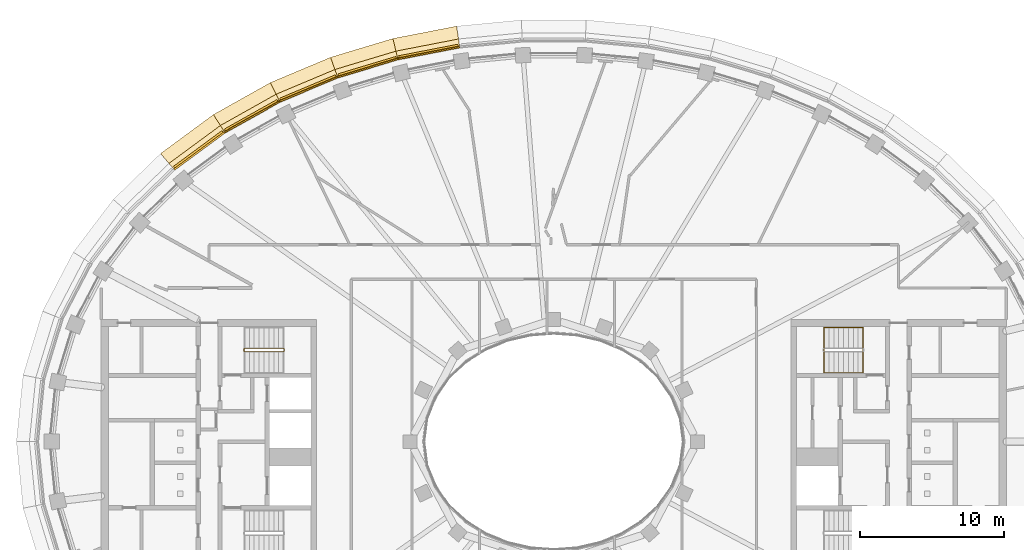
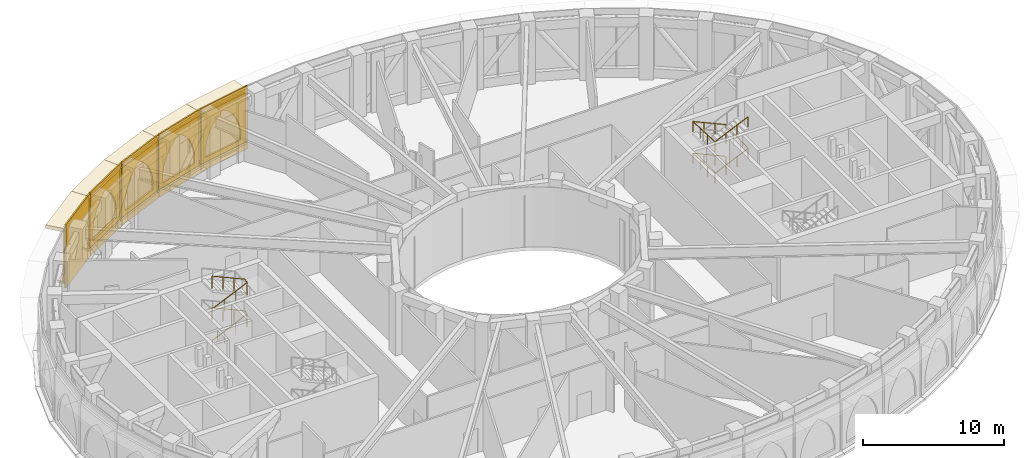
# One storey, part 21 of 23: 20 coverings, 2 railings.
"""IFC4 building model written with IfcOpenShell, lengths in metres."""

from ifc_helpers import new_model, si_unit, direction, frame, origin, origin_2d, place, context, subcontext, project, spatial, polyline, rectangle, outline, extrude, material, layer, layer_set, type_object, element, save


model = new_model("IFC4")

# Units and contexts
model_context = context("Model", 3, precision=1e-05, world=origin(), true_north=direction((0.0, 1.0)))
body_context = subcontext(model_context, "Body", "Model", "MODEL_VIEW")
ifc_project = project(units=[si_unit("LENGTHUNIT", "METRE"), si_unit("AREAUNIT", "SQUARE_METRE"), si_unit("VOLUMEUNIT", "CUBIC_METRE"), si_unit("PLANEANGLEUNIT", "RADIAN"), si_unit("MASSUNIT", "GRAM", prefix="KILO")], contexts=[model_context])

# Site, building, storey
site_placement = place(None, origin())
site = spatial("IfcSite", under=ifc_project, at=site_placement, CompositionType="ELEMENT")
building_placement = place(site_placement, origin())
building = spatial("IfcBuilding", under=site, at=building_placement, Name="Noorbagh Ring Tower", CompositionType="ELEMENT")
storey_placement = place(building_placement, frame((0.0, 0.0, 285.5)))
storey = spatial("IfcBuildingStorey", under=building, at=storey_placement, Name="L61", CompositionType="ELEMENT", Elevation=285.5)

# Railings
ifc_material_1 = material(Name="Stainless steel", Category="steel")
railing_type_1 = type_object("IfcRailingType", Name="CORE-STAIR-GUARD", PredefinedType="GUARDRAIL", material=ifc_material_1)
railing_1_placement = place(storey_placement, frame((-21.580078125, 6.300048828125, 0.0)))
element("IfcRailing", 1, at=railing_1_placement, inside=storey, type_object=railing_type_1, Name="L61 ST1 stair guard", PredefinedType="GUARDRAIL", context=body_context, shape_type="SweptSolid", body=[
    extrude(rectangle(XDim=0.048095703125, YDim=0.048095703125, at=origin_2d()), frame((0.0, 0.0, 1.076171875), z_axis=(0.0, 1.0, 0.0), x_axis=(-1.0, 0.0, 0.0)), (0.0, 0.0, 1.0), 0.14990234375),
    extrude(rectangle(XDim=0.048095703125, YDim=0.048095703125, at=origin_2d()), frame((0.0, 0.14990234375, 1.076171875), z_axis=(0.195046945594, -0.779236333862, 0.595606770449), x_axis=(0.970072785993, 0.242814311512, 0.0)), (0.0, 0.0, 1.0), 0.256591796875),
    extrude(rectangle(XDim=0.048095703125, YDim=0.048095703125, at=origin_2d()), frame((0.050048828125, -0.050048828125, 1.22900390625), z_axis=(0.912149621895, 0.0, 0.409857374312), x_axis=(0.0, 1.0, 0.0)), (0.0, 0.0, 1.0), 2.98193359375),
    extrude(rectangle(XDim=0.048095703125, YDim=0.048095703125, at=origin_2d()), frame((2.77001953125, -0.050048828125, 2.451171875), z_axis=(0.707106781187, 0.707106781187, 0.0), x_axis=(-0.707106781187, 0.707106781187, 0.0)), (0.0, 0.0, 1.0), 0.07080078125),
    extrude(rectangle(XDim=0.048095703125, YDim=0.048095703125, at=origin_2d()), frame((2.820068359375, 0.0, 2.451171875), z_axis=(0.0, 1.0, 0.0), x_axis=(-1.0, 0.0, 0.0)), (0.0, 0.0, 1.0), 0.14990234375),
    extrude(rectangle(XDim=0.048095703125, YDim=0.048095703125, at=origin_2d()), frame((2.820068359375, 0.14990234375, 2.451171875), z_axis=(-0.297155754911, 0.297155754911, 0.90741220768), x_axis=(-0.707106781187, -0.707106781187, 0.0)), (0.0, 0.0, 1.0), 0.16845703125),
    extrude(rectangle(XDim=0.048095703125, YDim=0.048095703125, at=origin_2d()), frame((2.77001953125, 0.199951171875, 2.60400390625), z_axis=(-0.912149621895, 0.0, 0.409857374312), x_axis=(0.0, -1.0, 0.0)), (0.0, 0.0, 1.0), 2.98193359375),
    extrude(rectangle(XDim=0.048095703125, YDim=0.048095703125, at=origin_2d()), frame((0.050048828125, 0.199951171875, 3.826171875), z_axis=(-0.242814311512, -0.970072785993, 0.0), x_axis=(0.970072785993, -0.242814311512, 0.0)), (0.0, 0.0, 1.0), 0.2060546875),
    extrude(rectangle(XDim=0.048095703125, YDim=0.048095703125, at=origin_2d()), frame((0.0, 0.0, 3.826171875), z_axis=(0.0, 1.0, 0.0), x_axis=(-1.0, 0.0, 0.0)), (0.0, 0.0, 1.0), 0.14990234375),
    extrude(rectangle(XDim=0.048095703125, YDim=0.048095703125, at=origin_2d()), frame((0.0, 0.14990234375, 3.826171875), z_axis=(0.195046945594, -0.779236333862, 0.595606770449), x_axis=(0.970072785993, 0.242814311512, 0.0)), (0.0, 0.0, 1.0), 0.256591796875),
    extrude(rectangle(XDim=0.048095703125, YDim=0.048095703125, at=origin_2d()), frame((0.050048828125, -0.050048828125, 3.97900390625), z_axis=(0.912149621895, 0.0, 0.409857374312), x_axis=(0.0, 1.0, 0.0)), (0.0, 0.0, 1.0), 2.98193359375),
    extrude(rectangle(XDim=0.048095703125, YDim=0.048095703125, at=origin_2d()), frame((2.77001953125, -0.050048828125, 5.201171875), z_axis=(0.707106781187, 0.707106781187, 0.0), x_axis=(-0.707106781187, 0.707106781187, 0.0)), (0.0, 0.0, 1.0), 0.07080078125),
    extrude(rectangle(XDim=0.048095703125, YDim=0.048095703125, at=origin_2d()), frame((2.820068359375, 0.0, 5.201171875), z_axis=(0.0, 1.0, 0.0), x_axis=(-1.0, 0.0, 0.0)), (0.0, 0.0, 1.0), 0.14990234375),
    extrude(rectangle(XDim=0.048095703125, YDim=0.048095703125, at=origin_2d()), frame((2.820068359375, 0.14990234375, 5.201171875), z_axis=(-0.297155754911, 0.297155754911, 0.90741220768), x_axis=(-0.707106781187, -0.707106781187, 0.0)), (0.0, 0.0, 1.0), 0.16845703125),
    extrude(rectangle(XDim=0.048095703125, YDim=0.048095703125, at=origin_2d()), frame((2.77001953125, 0.199951171875, 5.35400390625), z_axis=(-0.912149621895, 0.0, 0.409857374312), x_axis=(0.0, -1.0, 0.0)), (0.0, 0.0, 1.0), 2.98193359375),
    extrude(rectangle(XDim=0.0419921875, YDim=0.0419921875, at=origin_2d()), origin(), (0.0, 0.0, 1.0), 1.052001953125),
    extrude(rectangle(XDim=0.0419921875, YDim=0.0419921875, at=origin_2d()), frame((0.956787109375, -0.050048828125, 0.560302734375)), (0.0, 0.0, 1.0), 1.052001953125),
    extrude(rectangle(XDim=0.0419921875, YDim=0.0419921875, at=origin_2d()), frame((1.86328125, -0.050048828125, 0.967529296875)), (0.0, 0.0, 1.0), 1.052001953125),
    extrude(rectangle(XDim=0.0419921875, YDim=0.0419921875, at=origin_2d()), frame((2.77001953125, -0.050048828125, 1.375)), (0.0, 0.0, 1.0), 1.052001953125),
    extrude(rectangle(XDim=0.0419921875, YDim=0.0419921875, at=origin_2d()), frame((1.86328125, 0.199951171875, 1.935302734375)), (0.0, 0.0, 1.0), 1.052001953125),
    extrude(rectangle(XDim=0.0419921875, YDim=0.0419921875, at=origin_2d()), frame((0.956787109375, 0.199951171875, 2.342529296875)), (0.0, 0.0, 1.0), 1.052001953125),
    extrude(rectangle(XDim=0.0419921875, YDim=0.0419921875, at=origin_2d()), frame((0.050048828125, 0.199951171875, 2.75)), (0.0, 0.0, 1.0), 1.052001953125),
    extrude(rectangle(XDim=0.0419921875, YDim=0.0419921875, at=origin_2d()), frame((0.956787109375, -0.050048828125, 3.310302734375)), (0.0, 0.0, 1.0), 1.052001953125),
    extrude(rectangle(XDim=0.0419921875, YDim=0.0419921875, at=origin_2d()), frame((1.86328125, -0.050048828125, 3.717529296875)), (0.0, 0.0, 1.0), 1.052001953125),
    extrude(rectangle(XDim=0.0419921875, YDim=0.0419921875, at=origin_2d()), frame((2.77001953125, -0.050048828125, 4.125)), (0.0, 0.0, 1.0), 1.052001953125),
    extrude(rectangle(XDim=0.0419921875, YDim=0.0419921875, at=origin_2d()), frame((1.86328125, 0.199951171875, 4.685302734375)), (0.0, 0.0, 1.0), 1.052001953125),
    extrude(rectangle(XDim=0.0419921875, YDim=0.0419921875, at=origin_2d()), frame((0.956787109375, 0.199951171875, 5.092529296875)), (0.0, 0.0, 1.0), 1.052001953125),
    extrude(rectangle(XDim=0.0419921875, YDim=0.0419921875, at=origin_2d()), frame((0.050048828125, 0.199951171875, 5.5)), (0.0, 0.0, 1.0), 1.052001953125),
])
ifc_material_2 = material(Name="Stainless steel", Category="steel")
railing_type_2 = type_object("IfcRailingType", Name="CORE-STAIR-HANDRAIL", PredefinedType="HANDRAIL", material=ifc_material_2)
railing_2_placement = place(storey_placement, frame((21.530029296875, 7.949951171875, 0.15283203125)))
element("IfcRailing", 2, at=railing_2_placement, inside=storey, type_object=railing_type_2, Name="L61 ST3 stair handrail", PredefinedType="HANDRAIL", context=body_context, shape_type="SweptSolid", body=[
    extrude(rectangle(XDim=0.048095703125, YDim=0.048095703125, at=origin_2d()), frame((0.0, 0.0, 0.8759765625), z_axis=(-0.912149621895, 0.0, 0.409857374312), x_axis=(0.0, -1.0, 0.0)), (0.0, 0.0, 1.0), 2.98193359375),
    extrude(rectangle(XDim=0.048095703125, YDim=0.048095703125, at=origin_2d()), frame((-2.719970703125, 0.0, 2.09814453125), z_axis=(0.0, -0.998824997948, 0.048462598722), x_axis=(1.0, 0.0, 0.0)), (0.0, 0.0, 1.0), 3.153564453125),
    extrude(rectangle(XDim=0.048095703125, YDim=0.048095703125, at=origin_2d()), frame((-2.719970703125, -3.14990234375, 2.2509765625), z_axis=(0.912149621895, 0.0, 0.409857374312), x_axis=(0.0, 1.0, 0.0)), (0.0, 0.0, 1.0), 2.98193359375),
    extrude(rectangle(XDim=0.048095703125, YDim=0.048095703125, at=origin_2d()), frame((0.0, -3.14990234375, 3.47314453125), z_axis=(0.0, 0.998824997948, 0.048462598722), x_axis=(-1.0, 0.0, 0.0)), (0.0, 0.0, 1.0), 3.153564453125),
    extrude(rectangle(XDim=0.048095703125, YDim=0.048095703125, at=origin_2d()), frame((0.0, 0.0, 3.6259765625), z_axis=(-0.912149621895, 0.0, 0.409857374312), x_axis=(0.0, -1.0, 0.0)), (0.0, 0.0, 1.0), 2.98193359375),
    extrude(rectangle(XDim=0.048095703125, YDim=0.048095703125, at=origin_2d()), frame((-2.719970703125, 0.0, 4.84814453125), z_axis=(0.0, -0.998824997948, 0.048462598722), x_axis=(1.0, 0.0, 0.0)), (0.0, 0.0, 1.0), 3.153564453125),
    extrude(rectangle(XDim=0.048095703125, YDim=0.048095703125, at=origin_2d()), frame((-2.719970703125, -3.14990234375, 5.0009765625), z_axis=(0.912149621895, 0.0, 0.409857374312), x_axis=(0.0, 1.0, 0.0)), (0.0, 0.0, 1.0), 2.98193359375),
    extrude(rectangle(XDim=0.0419921875, YDim=0.0419921875, at=origin_2d()), origin(), (0.0, 0.0, 1.0), 0.851806640625),
    extrude(rectangle(XDim=0.0419921875, YDim=0.0419921875, at=origin_2d()), frame((-0.90673828125, 0.0, 0.407470703125)), (0.0, 0.0, 1.0), 0.851806640625),
    extrude(rectangle(XDim=0.0419921875, YDim=0.0419921875, at=origin_2d()), frame((-1.813232421875, 0.0, 0.814697265625)), (0.0, 0.0, 1.0), 0.851806640625),
    extrude(rectangle(XDim=0.0419921875, YDim=0.0419921875, at=origin_2d()), frame((-2.719970703125, 0.0, 1.22216796875)), (0.0, 0.0, 1.0), 0.851806640625),
    extrude(rectangle(XDim=0.0419921875, YDim=0.0419921875, at=origin_2d()), frame((-2.719970703125, -1.050048828125, 1.273193359375)), (0.0, 0.0, 1.0), 0.851806640625),
    extrude(rectangle(XDim=0.0419921875, YDim=0.0419921875, at=origin_2d()), frame((-2.719970703125, -2.099853515625, 1.323974609375)), (0.0, 0.0, 1.0), 0.851806640625),
    extrude(rectangle(XDim=0.0419921875, YDim=0.0419921875, at=origin_2d()), frame((-2.719970703125, -3.14990234375, 1.375)), (0.0, 0.0, 1.0), 0.851806640625),
    extrude(rectangle(XDim=0.0419921875, YDim=0.0419921875, at=origin_2d()), frame((-1.813232421875, -3.14990234375, 1.782470703125)), (0.0, 0.0, 1.0), 0.851806640625),
    extrude(rectangle(XDim=0.0419921875, YDim=0.0419921875, at=origin_2d()), frame((-0.90673828125, -3.14990234375, 2.189697265625)), (0.0, 0.0, 1.0), 0.851806640625),
    extrude(rectangle(XDim=0.0419921875, YDim=0.0419921875, at=origin_2d()), frame((0.0, -3.14990234375, 2.59716796875)), (0.0, 0.0, 1.0), 0.851806640625),
    extrude(rectangle(XDim=0.0419921875, YDim=0.0419921875, at=origin_2d()), frame((0.0, -2.099853515625, 2.648193359375)), (0.0, 0.0, 1.0), 0.851806640625),
    extrude(rectangle(XDim=0.0419921875, YDim=0.0419921875, at=origin_2d()), frame((0.0, -1.050048828125, 2.698974609375)), (0.0, 0.0, 1.0), 0.851806640625),
    extrude(rectangle(XDim=0.0419921875, YDim=0.0419921875, at=origin_2d()), frame((0.0, 0.0, 2.75)), (0.0, 0.0, 1.0), 0.851806640625),
    extrude(rectangle(XDim=0.0419921875, YDim=0.0419921875, at=origin_2d()), frame((-0.90673828125, 0.0, 3.157470703125)), (0.0, 0.0, 1.0), 0.851806640625),
    extrude(rectangle(XDim=0.0419921875, YDim=0.0419921875, at=origin_2d()), frame((-1.813232421875, 0.0, 3.564697265625)), (0.0, 0.0, 1.0), 0.851806640625),
    extrude(rectangle(XDim=0.0419921875, YDim=0.0419921875, at=origin_2d()), frame((-2.719970703125, 0.0, 3.97216796875)), (0.0, 0.0, 1.0), 0.851806640625),
    extrude(rectangle(XDim=0.0419921875, YDim=0.0419921875, at=origin_2d()), frame((-2.719970703125, -1.050048828125, 4.023193359375)), (0.0, 0.0, 1.0), 0.851806640625),
    extrude(rectangle(XDim=0.0419921875, YDim=0.0419921875, at=origin_2d()), frame((-2.719970703125, -2.099853515625, 4.073974609375)), (0.0, 0.0, 1.0), 0.851806640625),
    extrude(rectangle(XDim=0.0419921875, YDim=0.0419921875, at=origin_2d()), frame((-2.719970703125, -3.14990234375, 4.125)), (0.0, 0.0, 1.0), 0.851806640625),
    extrude(rectangle(XDim=0.0419921875, YDim=0.0419921875, at=origin_2d()), frame((-1.813232421875, -3.14990234375, 4.532470703125)), (0.0, 0.0, 1.0), 0.851806640625),
    extrude(rectangle(XDim=0.0419921875, YDim=0.0419921875, at=origin_2d()), frame((-0.90673828125, -3.14990234375, 4.939697265625)), (0.0, 0.0, 1.0), 0.851806640625),
    extrude(rectangle(XDim=0.0419921875, YDim=0.0419921875, at=origin_2d()), frame((0.0, -3.14990234375, 5.34716796875)), (0.0, 0.0, 1.0), 0.851806640625),
])

# Coverings
ifc_material_3 = material(Name="Aluminium 6063-T6 black anodised", Category="aluminium")
ifc_layer_1 = layer(ifc_material_3, 0.1201171875)
ifc_layer_set_1 = layer_set([ifc_layer_1], Name="Aluminium 6063-T6 black anodised")
covering_type_1 = type_object("IfcCoveringType", Name="ENV-LOUVRE-BAND", PredefinedType="CLADDING", material=ifc_layer_set_1)
covering_1_placement = place(storey_placement, frame((-8.700927734375, 27.053955078125, -0.300048828125), z_axis=(0.0, 0.0, 1.0), x_axis=(-0.981624952922, -0.190820470077, 0.0)))
element("IfcCovering", 3, at=covering_1_placement, inside=storey, type_object=covering_type_1, Name="Louvre screen chord 14", ObjectType="LOUVRE", PredefinedType="CLADDING", context=body_context, shape_type="SweptSolid", body=[
    extrude(rectangle(XDim=4.349853515625, YDim=0.1201171875, at=origin_2d()), origin(), (0.0, 0.0, 1.0), 5.5),
])
covering_2_placement = place(storey_placement, frame((-12.947998046875, 26.0048828125, -0.300048828125), z_axis=(0.0, 0.0, 1.0), x_axis=(-0.957577925467, -0.28817445525, 0.0)))
element("IfcCovering", 4, at=covering_2_placement, inside=storey, type_object=covering_type_1, Name="Louvre screen chord 15", ObjectType="LOUVRE", PredefinedType="CLADDING", context=body_context, shape_type="SweptSolid", body=[
    extrude(rectangle(XDim=4.349609375, YDim=0.1201171875, at=origin_2d()), origin(), (0.0, 0.0, 1.0), 5.5),
])
covering_3_placement = place(storey_placement, frame((-17.0634765625, 24.52490234375, -0.300048828125), z_axis=(0.0, 0.0, 1.0), x_axis=(-0.921811566494, -0.387638279686, 0.0)))
element("IfcCovering", 5, at=covering_3_placement, inside=storey, type_object=covering_type_1, Name="Louvre screen chord 16", ObjectType="LOUVRE", PredefinedType="CLADDING", context=body_context, shape_type="SweptSolid", body=[
    extrude(rectangle(XDim=4.349365234375, YDim=0.1201171875, at=origin_2d()), origin(), (0.0, 0.0, 1.0), 5.5),
])
covering_4_placement = place(storey_placement, frame((-20.990966796875, 22.604736328125, -0.300048828125), z_axis=(0.0, 0.0, 1.0), x_axis=(-0.872044586249, -0.48942643941, 0.0)))
element("IfcCovering", 6, at=covering_4_placement, inside=storey, type_object=covering_type_1, Name="Louvre screen chord 17", ObjectType="LOUVRE", PredefinedType="CLADDING", context=body_context, shape_type="SweptSolid", body=[
    extrude(rectangle(XDim=4.34912109375, YDim=0.1201171875, at=origin_2d()), origin(), (0.0, 0.0, 1.0), 5.5),
])
covering_5_placement = place(storey_placement, frame((-24.662109375, 20.2353515625, -0.300048828125), z_axis=(0.0, 0.0, 1.0), x_axis=(-0.805153045326, -0.593067090304, 0.0)))
element("IfcCovering", 7, at=covering_5_placement, inside=storey, type_object=covering_type_1, Name="Louvre screen chord 18", ObjectType="LOUVRE", PredefinedType="CLADDING", context=body_context, shape_type="SweptSolid", body=[
    extrude(rectangle(XDim=4.3486328125, YDim=0.1201171875, at=origin_2d()), origin(), (0.0, 0.0, 1.0), 5.5),
])
ifc_material_4 = material(Name="Red sandstone cladding", Category="masonry")
ifc_layer_2 = layer(ifc_material_4, 0.14990234375)
ifc_layer_set_2 = layer_set([ifc_layer_2], Name="Red sandstone cladding")
covering_type_2 = type_object("IfcCoveringType", Name="STYLE-BAND-ARCADE", PredefinedType="USERDEFINED", material=ifc_layer_set_2)
covering_6_placement = place(storey_placement, frame((-6.6865234375, 27.659423828125, 0.25), z_axis=(-0.190819708322, 0.981625101001, 0.0), x_axis=(-0.981625101001, -0.190819708322, 0.0)))
element("IfcCovering", 8, at=covering_6_placement, inside=storey, type_object=covering_type_2, Name="Blind arch bay of the band", ObjectType="ARCH", PredefinedType="USERDEFINED", context=body_context, shape_type="SweptSolid", body=[
    extrude(outline(polyline([(0.0, 0.0), (4.186279296875, 0.0), (4.186279296875, 4.300048828125), (0.0, 4.300048828125), (0.0, 0.0)]), holes=[polyline([(0.449951171875, 0.39990234375), (0.449951171875, 0.904052734375), (0.47802734375, 1.3330078125), (0.56201171875, 1.754638671875), (0.7001953125, 2.16162109375), (0.890380859375, 2.547119140625), (1.129150390625, 2.90478515625), (1.41259765625, 3.227783203125), (1.735595703125, 3.51123046875), (2.093017578125, 3.75), (2.450439453125, 3.51123046875), (2.773681640625, 3.227783203125), (3.05712890625, 2.90478515625), (3.2958984375, 2.547119140625), (3.486083984375, 2.16162109375), (3.624267578125, 1.754638671875), (3.7080078125, 1.3330078125), (3.736083984375, 0.904052734375), (3.736083984375, 0.39990234375), (0.449951171875, 0.39990234375)])]), origin(), (0.0, 0.0, -1.0), 0.14990234375),
])
covering_7_placement = place(storey_placement, frame((-11.00439453125, 26.80908203125, 0.25), z_axis=(-0.288182515773, 0.957575499688, 0.0), x_axis=(-0.957575499688, -0.288182515773, 0.0)))
element("IfcCovering", 9, at=covering_7_placement, inside=storey, type_object=covering_type_2, Name="Blind arch bay of the band", ObjectType="ARCH", PredefinedType="USERDEFINED", context=body_context, shape_type="SweptSolid", body=[
    extrude(outline(polyline([(0.0, 0.0), (4.185791015625, 0.0), (4.185791015625, 4.300048828125), (0.0, 4.300048828125), (0.0, 0.0)]), holes=[polyline([(0.449951171875, 0.39990234375), (0.449951171875, 0.904296875), (0.47802734375, 1.333251953125), (0.56201171875, 1.7548828125), (0.7001953125, 2.161865234375), (0.890380859375, 2.54736328125), (1.129150390625, 2.90478515625), (1.41259765625, 3.227783203125), (1.735595703125, 3.51123046875), (2.093017578125, 3.75), (2.450439453125, 3.51123046875), (2.773681640625, 3.227783203125), (3.056884765625, 2.90478515625), (3.2958984375, 2.54736328125), (3.48583984375, 2.161865234375), (3.6240234375, 1.7548828125), (3.7080078125, 1.333251953125), (3.736083984375, 0.904296875), (3.736083984375, 0.39990234375), (0.449951171875, 0.39990234375)])]), origin(), (0.0, 0.0, -1.0), 0.14990234375),
])
covering_8_placement = place(storey_placement, frame((-15.215576171875, 25.52978515625, 0.25), z_axis=(-0.387624121421, 0.92181752017, 0.0), x_axis=(-0.92181752017, -0.387624121421, 0.0)))
element("IfcCovering", 10, at=covering_8_placement, inside=storey, type_object=covering_type_2, Name="Blind arch bay of the band", ObjectType="ARCH", PredefinedType="USERDEFINED", context=body_context, shape_type="SweptSolid", body=[
    extrude(outline(polyline([(0.0, 0.0), (4.185791015625, 0.0), (4.185791015625, 4.300048828125), (0.0, 4.300048828125), (0.0, 0.0)]), holes=[polyline([(0.449951171875, 0.39990234375), (0.449951171875, 0.904541015625), (0.47802734375, 1.33349609375), (0.56201171875, 1.7548828125), (0.7001953125, 2.161865234375), (0.89013671875, 2.54736328125), (1.12890625, 2.90478515625), (1.412353515625, 3.227783203125), (1.735595703125, 3.51123046875), (2.093017578125, 3.75), (2.4501953125, 3.51123046875), (2.7734375, 3.227783203125), (3.056884765625, 2.90478515625), (3.295654296875, 2.54736328125), (3.485595703125, 2.161865234375), (3.623779296875, 1.7548828125), (3.707763671875, 1.33349609375), (3.73583984375, 0.904541015625), (3.73583984375, 0.39990234375), (0.449951171875, 0.39990234375)])]), origin(), (0.0, 0.0, -1.0), 0.14990234375),
])
covering_9_placement = place(storey_placement, frame((-19.268798828125, 23.81201171875, 0.25), z_axis=(-0.489402470802, 0.872058037961, 0.0), x_axis=(-0.872058037961, -0.489402470802, 0.0)))
element("IfcCovering", 11, at=covering_9_placement, inside=storey, type_object=covering_type_2, Name="Blind arch bay of the band", ObjectType="ARCH", PredefinedType="USERDEFINED", context=body_context, shape_type="SweptSolid", body=[
    extrude(outline(polyline([(0.0, 0.0), (4.185302734375, 0.0), (4.185302734375, 4.300048828125), (0.0, 4.300048828125), (0.0, 0.0)]), holes=[polyline([(0.449951171875, 0.39990234375), (0.449951171875, 0.90478515625), (0.47802734375, 1.33349609375), (0.56201171875, 1.755126953125), (0.7001953125, 2.162109375), (0.89013671875, 2.547607421875), (1.12890625, 2.90478515625), (1.412353515625, 3.22802734375), (1.7353515625, 3.51123046875), (2.0927734375, 3.75), (2.4501953125, 3.51123046875), (2.773193359375, 3.22802734375), (3.056396484375, 2.90478515625), (3.29541015625, 2.547607421875), (3.4853515625, 2.162109375), (3.62353515625, 1.755126953125), (3.70751953125, 1.33349609375), (3.735595703125, 0.90478515625), (3.735595703125, 0.39990234375), (0.449951171875, 0.39990234375)])]), origin(), (0.0, 0.0, -1.0), 0.14990234375),
])
covering_10_placement = place(storey_placement, frame((-23.10205078125, 21.645263671875, 0.25), z_axis=(-0.593079629262, 0.805143809114, 0.0), x_axis=(-0.805143809114, -0.593079629262, 0.0)))
element("IfcCovering", 12, at=covering_10_placement, inside=storey, type_object=covering_type_2, Name="Blind arch bay of the band", ObjectType="ARCH", PredefinedType="USERDEFINED", context=body_context, shape_type="SweptSolid", body=[
    extrude(outline(polyline([(0.0, 0.0), (4.184814453125, 0.0), (4.184814453125, 4.300048828125), (0.0, 4.300048828125), (0.0, 0.0)]), holes=[polyline([(0.449951171875, 0.39990234375), (0.449951171875, 0.9052734375), (0.47802734375, 1.333984375), (0.56201171875, 1.75537109375), (0.7001953125, 2.162353515625), (0.89013671875, 2.547607421875), (1.12890625, 2.905029296875), (1.412109375, 3.22802734375), (1.735107421875, 3.511474609375), (2.092529296875, 3.75), (2.44970703125, 3.511474609375), (2.772705078125, 3.22802734375), (3.05615234375, 2.905029296875), (3.294921875, 2.547607421875), (3.48486328125, 2.162353515625), (3.623046875, 1.75537109375), (3.706787109375, 1.333984375), (3.73486328125, 0.9052734375), (3.73486328125, 0.39990234375), (0.449951171875, 0.39990234375)])]), origin(), (0.0, 0.0, -1.0), 0.14990234375),
])
ifc_material_5 = material(Name="Red sandstone eave", Category="masonry")
covering_type_3 = type_object("IfcCoveringType", Name="STYLE-BAND-EAVE", PredefinedType="USERDEFINED", material=ifc_material_5)
covering_11_placement = place(storey_placement, frame((0.0, 0.0, 4.550048828125)))
element("IfcCovering", 13, at=covering_11_placement, inside=storey, type_object=covering_type_3, Name="Chhajja eave", ObjectType="CHHAJJA", PredefinedType="USERDEFINED", context=body_context, shape_type="SweptSolid", body=[
    extrude(outline(polyline([(-6.559814453125, 27.53125), (-10.865234375, 26.6943359375), (-11.201416015625, 28.05517578125), (-6.76025390625, 28.91845703125), (-6.559814453125, 27.53125)])), origin(), (0.0, 0.0, 1.0), 0.300048828125),
])
covering_12_placement = place(storey_placement, frame((0.0, 0.0, 4.550048828125)))
element("IfcCovering", 14, at=covering_12_placement, inside=storey, type_object=covering_type_3, Name="Chhajja eave", ObjectType="CHHAJJA", PredefinedType="USERDEFINED", context=body_context, shape_type="SweptSolid", body=[
    extrude(outline(polyline([(-10.865234375, 26.6943359375), (-15.065185546875, 25.430419921875), (-15.539794921875, 26.74951171875), (-11.201416015625, 28.05517578125), (-10.865234375, 26.6943359375)])), origin(), (0.0, 0.0, 1.0), 0.300048828125),
])
covering_13_placement = place(storey_placement, frame((0.0, 0.0, 4.550048828125)))
element("IfcCovering", 15, at=covering_13_placement, inside=storey, type_object=covering_type_3, Name="Chhajja eave", ObjectType="CHHAJJA", PredefinedType="USERDEFINED", context=body_context, shape_type="SweptSolid", body=[
    extrude(outline(polyline([(-15.065185546875, 25.430419921875), (-19.108154296875, 23.730224609375), (-19.72412109375, 24.989990234375), (-15.539794921875, 26.74951171875), (-15.065185546875, 25.430419921875)])), origin(), (0.0, 0.0, 1.0), 0.300048828125),
])
covering_14_placement = place(storey_placement, frame((0.0, 0.0, 4.550048828125)))
element("IfcCovering", 16, at=covering_14_placement, inside=storey, type_object=covering_type_3, Name="Chhajja eave", ObjectType="CHHAJJA", PredefinedType="USERDEFINED", context=body_context, shape_type="SweptSolid", body=[
    extrude(outline(polyline([(-19.108154296875, 23.730224609375), (-22.9326171875, 21.583740234375), (-23.693115234375, 22.762451171875), (-19.72412109375, 24.989990234375), (-19.108154296875, 23.730224609375)])), origin(), (0.0, 0.0, 1.0), 0.300048828125),
])
covering_15_placement = place(storey_placement, frame((0.0, 0.0, 4.550048828125)))
element("IfcCovering", 17, at=covering_15_placement, inside=storey, type_object=covering_type_3, Name="Chhajja eave", ObjectType="CHHAJJA", PredefinedType="USERDEFINED", context=body_context, shape_type="SweptSolid", body=[
    extrude(outline(polyline([(-22.9326171875, 21.583740234375), (-26.463134765625, 18.9833984375), (-27.3701171875, 20.053955078125), (-23.693115234375, 22.762451171875), (-22.9326171875, 21.583740234375)])), origin(), (0.0, 0.0, 1.0), 0.300048828125),
])
ifc_material_6 = material(Name="Red sandstone eave", Category="masonry")
covering_type_4 = type_object("IfcCoveringType", Name="STYLE-BAND-SILL", PredefinedType="USERDEFINED", material=ifc_material_6)
covering_16_placement = place(storey_placement, frame((0.0, 0.0, 0.050048828125)))
element("IfcCovering", 18, at=covering_16_placement, inside=storey, type_object=covering_type_4, Name="Sill ledge", ObjectType="CHHAJJA", PredefinedType="USERDEFINED", context=body_context, shape_type="SweptSolid", body=[
    extrude(outline(polyline([(-6.559814453125, 27.53125), (-10.865234375, 26.6943359375), (-10.9853515625, 27.180419921875), (-6.63134765625, 28.026611328125), (-6.559814453125, 27.53125)])), origin(), (0.0, 0.0, 1.0), 0.199951171875),
])
covering_17_placement = place(storey_placement, frame((0.0, 0.0, 0.050048828125)))
element("IfcCovering", 19, at=covering_17_placement, inside=storey, type_object=covering_type_4, Name="Sill ledge", ObjectType="CHHAJJA", PredefinedType="USERDEFINED", context=body_context, shape_type="SweptSolid", body=[
    extrude(outline(polyline([(-10.865234375, 26.6943359375), (-15.065185546875, 25.430419921875), (-15.234619140625, 25.901611328125), (-10.9853515625, 27.180419921875), (-10.865234375, 26.6943359375)])), origin(), (0.0, 0.0, 1.0), 0.199951171875),
])
covering_18_placement = place(storey_placement, frame((0.0, 0.0, 0.050048828125)))
element("IfcCovering", 20, at=covering_18_placement, inside=storey, type_object=covering_type_4, Name="Sill ledge", ObjectType="CHHAJJA", PredefinedType="USERDEFINED", context=body_context, shape_type="SweptSolid", body=[
    extrude(outline(polyline([(-15.065185546875, 25.430419921875), (-19.108154296875, 23.730224609375), (-19.328125, 24.18017578125), (-15.234619140625, 25.901611328125), (-15.065185546875, 25.430419921875)])), origin(), (0.0, 0.0, 1.0), 0.199951171875),
])
covering_19_placement = place(storey_placement, frame((0.0, 0.0, 0.050048828125)))
element("IfcCovering", 21, at=covering_19_placement, inside=storey, type_object=covering_type_4, Name="Sill ledge", ObjectType="CHHAJJA", PredefinedType="USERDEFINED", context=body_context, shape_type="SweptSolid", body=[
    extrude(outline(polyline([(-19.108154296875, 23.730224609375), (-22.9326171875, 21.583740234375), (-23.2041015625, 22.004638671875), (-19.328125, 24.18017578125), (-19.108154296875, 23.730224609375)])), origin(), (0.0, 0.0, 1.0), 0.199951171875),
])
covering_20_placement = place(storey_placement, frame((0.0, 0.0, 0.050048828125)))
element("IfcCovering", 22, at=covering_20_placement, inside=storey, type_object=covering_type_4, Name="Sill ledge", ObjectType="CHHAJJA", PredefinedType="USERDEFINED", context=body_context, shape_type="SweptSolid", body=[
    extrude(outline(polyline([(-22.9326171875, 21.583740234375), (-26.463134765625, 18.9833984375), (-26.787109375, 19.365478515625), (-23.2041015625, 22.004638671875), (-22.9326171875, 21.583740234375)])), origin(), (0.0, 0.0, 1.0), 0.199951171875),
])

save(model, "model.ifc")
